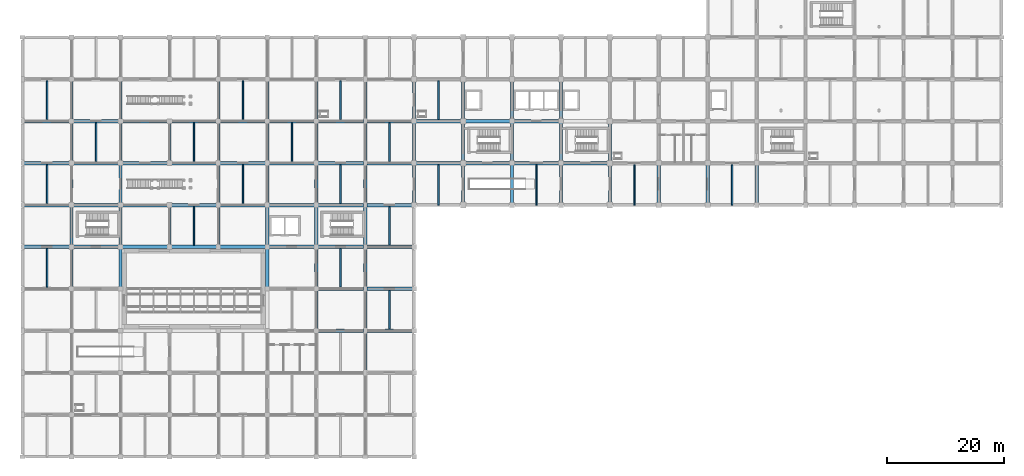
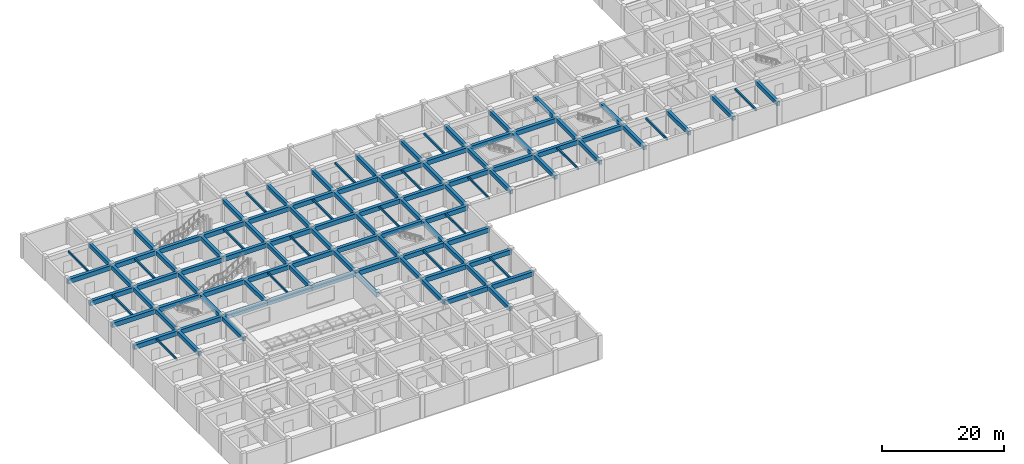
# One storey, part 11 of 32: 114 beams.
"""IFC4 building model written with IfcOpenShell, lengths in metres."""

from ifc_helpers import new_model, si_unit, derived_unit, direction, frame, origin, origin_2d, place, context, subcontext, project, spatial, rectangle, extrude, material, material_profile, profile_set, type_object, element, save


model = new_model("IFC4")

# Units and contexts
model_context = context("Model", 3, precision=1e-05, world=origin(), true_north=direction((0.0, 1.0)))
body_context = subcontext(model_context, "Body", "Model", "MODEL_VIEW")
ifc_project = project(units=[si_unit("LENGTHUNIT", "METRE"), si_unit("AREAUNIT", "SQUARE_METRE"), si_unit("VOLUMEUNIT", "CUBIC_METRE"), si_unit("PLANEANGLEUNIT", "RADIAN"), si_unit("MASSUNIT", "GRAM", prefix="KILO"), derived_unit("THERMALTRANSMITTANCEUNIT", [(si_unit("MASSUNIT", "GRAM", prefix="KILO"), 1), (si_unit("TIMEUNIT", "SECOND"), -3), (si_unit("THERMODYNAMICTEMPERATUREUNIT", "KELVIN"), -1)])], contexts=[model_context])

# Site, building, storey
site_placement = place(None, origin())
site = spatial("IfcSite", under=ifc_project, at=site_placement, CompositionType="ELEMENT")
building_placement = place(site_placement, origin())
building = spatial("IfcBuilding", under=site, at=building_placement, Name="Veldstrom Oceanarium and Marine Research Institute", CompositionType="ELEMENT")
storey_placement = place(building_placement, frame((0.0, 0.0, -4.800048828125)))
storey = spatial("IfcBuildingStorey", under=building, at=storey_placement, Name="B01", CompositionType="ELEMENT", Elevation=-4.800048828125)

# Beams
ifc_material_1 = material(Name="Concrete C40/50", Category="concrete")
ifc_material_profile_1 = material_profile(ifc_material_1, rectangle(XDim=0.60009765625, YDim=0.89990234375, at=origin_2d()), Name="RC-BM-600x900")
ifc_profile_set_1 = profile_set([ifc_material_profile_1], Name="Concrete C40/50")
beam_type_1 = type_object("IfcBeamType", Name="STR-BM-B01", PredefinedType="BEAM", material=ifc_profile_set_1)
for number, where, z_axis, x_axis, name in (
    (1, (0.0, 36.0, 3.9951171875), (1.0, 0.0, 0.0), (0.0, 1.0, 0.0), "Primary Beam B01 B01-0365"),
    (2, (0.0, 43.199951171875, 3.9951171875), (1.0, 0.0, 0.0), (0.0, 1.0, 0.0), "Primary Beam B01 B01-0366"),
    (3, (0.0, 50.39990234375, 3.9951171875), (1.0, 0.0, 0.0), (0.0, 1.0, 0.0), "Primary Beam B01 B01-0367"),
    (4, (0.0, 57.60009765625, 3.9951171875), (1.0, 0.0, 0.0), (0.0, 1.0, 0.0), "Primary Beam B01 B01-0368"),
):
    element("IfcBeam", number, at=place(storey_placement, frame(where, z_axis=z_axis, x_axis=x_axis)), inside=storey, type_object=beam_type_1, Name=name, PredefinedType="BEAM", context=body_context, shape_type="SweptSolid", body=[
        extrude(rectangle(XDim=0.60009765625, YDim=0.89990234375, at=origin_2d()), origin(), (0.0, 0.0, 1.0), 8.39990234375),
    ])
for number, where, z_axis, x_axis, name in (
    (5, (8.39990234375, 36.0, 3.9951171875), (1.0, 0.0, 0.0), (0.0, 1.0, 0.0), "Primary Beam B01 B01-0374"),
    (6, (8.39990234375, 43.199951171875, 3.9951171875), (1.0, 0.0, 0.0), (0.0, 1.0, 0.0), "Primary Beam B01 B01-0375"),
    (7, (8.39990234375, 50.39990234375, 3.9951171875), (1.0, 0.0, 0.0), (0.0, 1.0, 0.0), "Primary Beam B01 B01-0376"),
    (8, (8.39990234375, 57.60009765625, 3.9951171875), (1.0, 0.0, 0.0), (0.0, 1.0, 0.0), "Primary Beam B01 B01-0377"),
):
    element("IfcBeam", number, at=place(storey_placement, frame(where, z_axis=z_axis, x_axis=x_axis)), inside=storey, type_object=beam_type_1, Name=name, PredefinedType="BEAM", context=body_context, shape_type="SweptSolid", body=[
        extrude(rectangle(XDim=0.60009765625, YDim=0.89990234375, at=origin_2d()), origin(), (0.0, 0.0, 1.0), 8.400146484375),
    ])
for number, where, z_axis, x_axis, name in (
    (9, (16.800048828125, 36.0, 3.9951171875), (1.0, 0.0, 0.0), (0.0, 1.0, 0.0), "Primary Beam B01 B01-0382"),
    (10, (16.800048828125, 43.199951171875, 3.9951171875), (1.0, 0.0, 0.0), (0.0, 1.0, 0.0), "Primary Beam B01 B01-0383"),
    (11, (16.800048828125, 50.39990234375, 3.9951171875), (1.0, 0.0, 0.0), (0.0, 1.0, 0.0), "Primary Beam B01 B01-0384"),
    (12, (16.800048828125, 57.60009765625, 3.9951171875), (1.0, 0.0, 0.0), (0.0, 1.0, 0.0), "Primary Beam B01 B01-0385"),
):
    element("IfcBeam", number, at=place(storey_placement, frame(where, z_axis=z_axis, x_axis=x_axis)), inside=storey, type_object=beam_type_1, Name=name, PredefinedType="BEAM", context=body_context, shape_type="SweptSolid", body=[
        extrude(rectangle(XDim=0.60009765625, YDim=0.89990234375, at=origin_2d()), origin(), (0.0, 0.0, 1.0), 8.39990234375),
    ])
for number, where, z_axis, x_axis, name in (
    (13, (25.199951171875, 36.0, 3.9951171875), (1.0, 0.0, 0.0), (0.0, 1.0, 0.0), "Primary Beam B01 B01-0390"),
    (14, (25.199951171875, 43.199951171875, 3.9951171875), (1.0, 0.0, 0.0), (0.0, 1.0, 0.0), "Primary Beam B01 B01-0391"),
    (15, (25.199951171875, 50.39990234375, 3.9951171875), (1.0, 0.0, 0.0), (0.0, 1.0, 0.0), "Primary Beam B01 B01-0392"),
    (16, (25.199951171875, 57.60009765625, 3.9951171875), (1.0, 0.0, 0.0), (0.0, 1.0, 0.0), "Primary Beam B01 B01-0393"),
):
    element("IfcBeam", number, at=place(storey_placement, frame(where, z_axis=z_axis, x_axis=x_axis)), inside=storey, type_object=beam_type_1, Name=name, PredefinedType="BEAM", context=body_context, shape_type="SweptSolid", body=[
        extrude(rectangle(XDim=0.60009765625, YDim=0.89990234375, at=origin_2d()), origin(), (0.0, 0.0, 1.0), 8.400146484375),
    ])
for number, where, z_axis, x_axis, name in (
    (17, (33.60009765625, 36.0, 3.9951171875), (1.0, 0.0, 0.0), (0.0, 1.0, 0.0), "Primary Beam B01 B01-0398"),
    (18, (33.60009765625, 43.199951171875, 3.9951171875), (1.0, 0.0, 0.0), (0.0, 1.0, 0.0), "Primary Beam B01 B01-0399"),
    (19, (33.60009765625, 50.39990234375, 3.9951171875), (1.0, 0.0, 0.0), (0.0, 1.0, 0.0), "Primary Beam B01 B01-0400"),
    (20, (33.60009765625, 57.60009765625, 3.9951171875), (1.0, 0.0, 0.0), (0.0, 1.0, 0.0), "Primary Beam B01 B01-0401"),
    (21, (42.0, 36.0, 3.9951171875), (1.0, 0.0, 0.0), (0.0, 1.0, 0.0), "Primary Beam B01 B01-0407"),
    (22, (42.0, 43.199951171875, 3.9951171875), (1.0, 0.0, 0.0), (0.0, 1.0, 0.0), "Primary Beam B01 B01-0408"),
    (23, (42.0, 50.39990234375, 3.9951171875), (1.0, 0.0, 0.0), (0.0, 1.0, 0.0), "Primary Beam B01 B01-0409"),
    (24, (42.0, 57.60009765625, 3.9951171875), (1.0, 0.0, 0.0), (0.0, 1.0, 0.0), "Primary Beam B01 B01-0410"),
):
    element("IfcBeam", number, at=place(storey_placement, frame(where, z_axis=z_axis, x_axis=x_axis)), inside=storey, type_object=beam_type_1, Name=name, PredefinedType="BEAM", context=body_context, shape_type="SweptSolid", body=[
        extrude(rectangle(XDim=0.60009765625, YDim=0.89990234375, at=origin_2d()), origin(), (0.0, 0.0, 1.0), 8.39990234375),
    ])
for number, where, z_axis, x_axis, name in (
    (25, (50.39990234375, 21.60009765625, 3.9951171875), (1.0, 0.0, 0.0), (0.0, 1.0, 0.0), "Primary Beam B01 B01-0414"),
    (26, (50.39990234375, 28.800048828125, 3.9951171875), (1.0, 0.0, 0.0), (0.0, 1.0, 0.0), "Primary Beam B01 B01-0415"),
    (27, (50.39990234375, 36.0, 3.9951171875), (1.0, 0.0, 0.0), (0.0, 1.0, 0.0), "Primary Beam B01 B01-0416"),
    (28, (50.39990234375, 43.199951171875, 3.9951171875), (1.0, 0.0, 0.0), (0.0, 1.0, 0.0), "Primary Beam B01 B01-0417"),
    (29, (50.39990234375, 50.39990234375, 3.9951171875), (1.0, 0.0, 0.0), (0.0, 1.0, 0.0), "Primary Beam B01 B01-0418"),
    (30, (50.39990234375, 57.60009765625, 3.9951171875), (1.0, 0.0, 0.0), (0.0, 1.0, 0.0), "Primary Beam B01 B01-0419"),
):
    element("IfcBeam", number, at=place(storey_placement, frame(where, z_axis=z_axis, x_axis=x_axis)), inside=storey, type_object=beam_type_1, Name=name, PredefinedType="BEAM", context=body_context, shape_type="SweptSolid", body=[
        extrude(rectangle(XDim=0.60009765625, YDim=0.89990234375, at=origin_2d()), origin(), (0.0, 0.0, 1.0), 8.400146484375),
    ])
for number, where, z_axis, x_axis, name in (
    (31, (58.800048828125, 21.60009765625, 3.9951171875), (1.0, 0.0, 0.0), (0.0, 1.0, 0.0), "Primary Beam B01 B01-0423"),
    (32, (58.800048828125, 28.800048828125, 3.9951171875), (1.0, 0.0, 0.0), (0.0, 1.0, 0.0), "Primary Beam B01 B01-0424"),
    (33, (58.800048828125, 36.0, 3.9951171875), (1.0, 0.0, 0.0), (0.0, 1.0, 0.0), "Primary Beam B01 B01-0425"),
    (34, (58.800048828125, 43.199951171875, 3.9951171875), (1.0, 0.0, 0.0), (0.0, 1.0, 0.0), "Primary Beam B01 B01-0426"),
    (35, (58.800048828125, 50.39990234375, 3.9951171875), (1.0, 0.0, 0.0), (0.0, 1.0, 0.0), "Primary Beam B01 B01-0427"),
    (36, (58.800048828125, 57.60009765625, 3.9951171875), (1.0, 0.0, 0.0), (0.0, 1.0, 0.0), "Primary Beam B01 B01-0428"),
):
    element("IfcBeam", number, at=place(storey_placement, frame(where, z_axis=z_axis, x_axis=x_axis)), inside=storey, type_object=beam_type_1, Name=name, PredefinedType="BEAM", context=body_context, shape_type="SweptSolid", body=[
        extrude(rectangle(XDim=0.60009765625, YDim=0.89990234375, at=origin_2d()), origin(), (0.0, 0.0, 1.0), 8.39990234375),
    ])
for number, where, z_axis, x_axis, name in (
    (37, (67.199951171875, 50.39990234375, 3.9951171875), (1.0, 0.0, 0.0), (0.0, 1.0, 0.0), "Primary Beam B01 B01-0430"),
    (38, (67.199951171875, 57.60009765625, 3.9951171875), (1.0, 0.0, 0.0), (0.0, 1.0, 0.0), "Primary Beam B01 B01-0431"),
):
    element("IfcBeam", number, at=place(storey_placement, frame(where, z_axis=z_axis, x_axis=x_axis)), inside=storey, type_object=beam_type_1, Name=name, PredefinedType="BEAM", context=body_context, shape_type="SweptSolid", body=[
        extrude(rectangle(XDim=0.60009765625, YDim=0.89990234375, at=origin_2d()), origin(), (0.0, 0.0, 1.0), 8.400146484375),
    ])
for number, where, z_axis, x_axis, name in (
    (39, (75.60009765625, 50.39990234375, 3.9951171875), (1.0, 0.0, 0.0), (0.0, 1.0, 0.0), "Primary Beam B01 B01-0433"),
    (40, (75.60009765625, 57.60009765625, 3.9951171875), (1.0, 0.0, 0.0), (0.0, 1.0, 0.0), "Primary Beam B01 B01-0434"),
    (41, (84.0, 50.39990234375, 3.9951171875), (1.0, 0.0, 0.0), (0.0, 1.0, 0.0), "Primary Beam B01 B01-0436"),
    (42, (84.0, 57.60009765625, 3.9951171875), (1.0, 0.0, 0.0), (0.0, 1.0, 0.0), "Primary Beam B01 B01-0437"),
):
    element("IfcBeam", number, at=place(storey_placement, frame(where, z_axis=z_axis, x_axis=x_axis)), inside=storey, type_object=beam_type_1, Name=name, PredefinedType="BEAM", context=body_context, shape_type="SweptSolid", body=[
        extrude(rectangle(XDim=0.60009765625, YDim=0.89990234375, at=origin_2d()), origin(), (0.0, 0.0, 1.0), 8.39990234375),
    ])
beam_1_placement = place(storey_placement, frame((92.39990234375, 50.39990234375, 3.9951171875), z_axis=(1.0, 0.0, 0.0), x_axis=(0.0, 1.0, 0.0)))
element("IfcBeam", 43, at=beam_1_placement, inside=storey, type_object=beam_type_1, Name="Primary Beam B01 B01-0439", PredefinedType="BEAM", context=body_context, shape_type="SweptSolid", body=[
    extrude(rectangle(XDim=0.60009765625, YDim=0.89990234375, at=origin_2d()), origin(), (0.0, 0.0, 1.0), 8.400146484375),
])
ifc_material_2 = material(Name="Concrete C40/50", Category="concrete")
ifc_material_profile_2 = material_profile(ifc_material_2, rectangle(XDim=0.550048828125, YDim=0.800048828125, at=origin_2d()), Name="RC-BM-550x800")
ifc_profile_set_2 = profile_set([ifc_material_profile_2], Name="Concrete C40/50")
beam_type_2 = type_object("IfcBeamType", Name="STR-BM-B02", PredefinedType="BEAM", material=ifc_profile_set_2)
for number, where, z_axis, x_axis, name in (
    (44, (8.39990234375, 28.800048828125, 4.045166015625), (0.0, 1.0, 0.0), (-1.0, 0.0, 0.0), "Primary Beam B02 B01-0505"),
    (45, (8.39990234375, 36.0, 4.045166015625), (0.0, 1.0, 0.0), (-1.0, 0.0, 0.0), "Primary Beam B02 B01-0506"),
    (46, (8.39990234375, 43.199951171875, 4.045166015625), (0.0, 1.0, 0.0), (-1.0, 0.0, 0.0), "Primary Beam B02 B01-0507"),
):
    element("IfcBeam", number, at=place(storey_placement, frame(where, z_axis=z_axis, x_axis=x_axis)), inside=storey, type_object=beam_type_2, Name=name, PredefinedType="BEAM", context=body_context, shape_type="SweptSolid", body=[
        extrude(rectangle(XDim=0.550048828125, YDim=0.800048828125, at=origin_2d()), origin(), (0.0, 0.0, 1.0), 7.199951171875),
    ])
beam_2_placement = place(storey_placement, frame((8.39990234375, 50.39990234375, 4.045166015625), z_axis=(0.0, 1.0, 0.0), x_axis=(-1.0, 0.0, 0.0)))
element("IfcBeam", 47, at=beam_2_placement, inside=storey, type_object=beam_type_2, Name="Primary Beam B02 B01-0508", PredefinedType="BEAM", context=body_context, shape_type="SweptSolid", body=[
    extrude(rectangle(XDim=0.550048828125, YDim=0.800048828125, at=origin_2d()), origin(), (0.0, 0.0, 1.0), 7.2001953125),
])
for number, where, z_axis, x_axis, name in (
    (48, (8.39990234375, 57.60009765625, 4.045166015625), (0.0, 1.0, 0.0), (-1.0, 0.0, 0.0), "Primary Beam B02 B01-0509"),
    (49, (16.800048828125, 28.800048828125, 4.045166015625), (0.0, 1.0, 0.0), (-1.0, 0.0, 0.0), "Primary Beam B02 B01-0515"),
    (50, (16.800048828125, 36.0, 4.045166015625), (0.0, 1.0, 0.0), (-1.0, 0.0, 0.0), "Primary Beam B02 B01-0516"),
    (51, (16.800048828125, 43.199951171875, 4.045166015625), (0.0, 1.0, 0.0), (-1.0, 0.0, 0.0), "Primary Beam B02 B01-0517"),
):
    element("IfcBeam", number, at=place(storey_placement, frame(where, z_axis=z_axis, x_axis=x_axis)), inside=storey, type_object=beam_type_2, Name=name, PredefinedType="BEAM", context=body_context, shape_type="SweptSolid", body=[
        extrude(rectangle(XDim=0.550048828125, YDim=0.800048828125, at=origin_2d()), origin(), (0.0, 0.0, 1.0), 7.199951171875),
    ])
beam_3_placement = place(storey_placement, frame((16.800048828125, 50.39990234375, 4.045166015625), z_axis=(0.0, 1.0, 0.0), x_axis=(-1.0, 0.0, 0.0)))
element("IfcBeam", 52, at=beam_3_placement, inside=storey, type_object=beam_type_2, Name="Primary Beam B02 B01-0518", PredefinedType="BEAM", context=body_context, shape_type="SweptSolid", body=[
    extrude(rectangle(XDim=0.550048828125, YDim=0.800048828125, at=origin_2d()), origin(), (0.0, 0.0, 1.0), 7.2001953125),
])
for number, where, z_axis, x_axis, name in (
    (53, (16.800048828125, 57.60009765625, 4.045166015625), (0.0, 1.0, 0.0), (-1.0, 0.0, 0.0), "Primary Beam B02 B01-0519"),
    (54, (25.199951171875, 36.0, 4.045166015625), (0.0, 1.0, 0.0), (-1.0, 0.0, 0.0), "Primary Beam B02 B01-0524"),
):
    element("IfcBeam", number, at=place(storey_placement, frame(where, z_axis=z_axis, x_axis=x_axis)), inside=storey, type_object=beam_type_2, Name=name, PredefinedType="BEAM", context=body_context, shape_type="SweptSolid", body=[
        extrude(rectangle(XDim=0.550048828125, YDim=0.800048828125, at=origin_2d()), origin(), (0.0, 0.0, 1.0), 7.199951171875),
    ])
beam_4_placement = place(storey_placement, frame((25.199951171875, 50.39990234375, 4.045166015625), z_axis=(0.0, 1.0, 0.0), x_axis=(-1.0, 0.0, 0.0)))
element("IfcBeam", 55, at=beam_4_placement, inside=storey, type_object=beam_type_2, Name="Primary Beam B02 B01-0526", PredefinedType="BEAM", context=body_context, shape_type="SweptSolid", body=[
    extrude(rectangle(XDim=0.550048828125, YDim=0.800048828125, at=origin_2d()), origin(), (0.0, 0.0, 1.0), 7.2001953125),
])
for number, where, z_axis, x_axis, name in (
    (56, (33.60009765625, 36.0, 4.045166015625), (0.0, 1.0, 0.0), (-1.0, 0.0, 0.0), "Primary Beam B02 B01-0532"),
    (57, (33.60009765625, 43.199951171875, 4.045166015625), (0.0, 1.0, 0.0), (-1.0, 0.0, 0.0), "Primary Beam B02 B01-0533"),
):
    element("IfcBeam", number, at=place(storey_placement, frame(where, z_axis=z_axis, x_axis=x_axis)), inside=storey, type_object=beam_type_2, Name=name, PredefinedType="BEAM", context=body_context, shape_type="SweptSolid", body=[
        extrude(rectangle(XDim=0.550048828125, YDim=0.800048828125, at=origin_2d()), origin(), (0.0, 0.0, 1.0), 7.199951171875),
    ])
beam_5_placement = place(storey_placement, frame((33.60009765625, 50.39990234375, 4.045166015625), z_axis=(0.0, 1.0, 0.0), x_axis=(-1.0, 0.0, 0.0)))
element("IfcBeam", 58, at=beam_5_placement, inside=storey, type_object=beam_type_2, Name="Primary Beam B02 B01-0534", PredefinedType="BEAM", context=body_context, shape_type="SweptSolid", body=[
    extrude(rectangle(XDim=0.550048828125, YDim=0.800048828125, at=origin_2d()), origin(), (0.0, 0.0, 1.0), 7.2001953125),
])
for number, where, z_axis, x_axis, name in (
    (59, (33.60009765625, 57.60009765625, 4.045166015625), (0.0, 1.0, 0.0), (-1.0, 0.0, 0.0), "Primary Beam B02 B01-0535"),
    (60, (42.0, 28.800048828125, 4.045166015625), (0.0, 1.0, 0.0), (-1.0, 0.0, 0.0), "Primary Beam B02 B01-0541"),
    (61, (42.0, 36.0, 4.045166015625), (0.0, 1.0, 0.0), (-1.0, 0.0, 0.0), "Primary Beam B02 B01-0542"),
    (62, (42.0, 43.199951171875, 4.045166015625), (0.0, 1.0, 0.0), (-1.0, 0.0, 0.0), "Primary Beam B02 B01-0543"),
):
    element("IfcBeam", number, at=place(storey_placement, frame(where, z_axis=z_axis, x_axis=x_axis)), inside=storey, type_object=beam_type_2, Name=name, PredefinedType="BEAM", context=body_context, shape_type="SweptSolid", body=[
        extrude(rectangle(XDim=0.550048828125, YDim=0.800048828125, at=origin_2d()), origin(), (0.0, 0.0, 1.0), 7.199951171875),
    ])
beam_6_placement = place(storey_placement, frame((42.0, 50.39990234375, 4.045166015625), z_axis=(0.0, 1.0, 0.0), x_axis=(-1.0, 0.0, 0.0)))
element("IfcBeam", 63, at=beam_6_placement, inside=storey, type_object=beam_type_2, Name="Primary Beam B02 B01-0544", PredefinedType="BEAM", context=body_context, shape_type="SweptSolid", body=[
    extrude(rectangle(XDim=0.550048828125, YDim=0.800048828125, at=origin_2d()), origin(), (0.0, 0.0, 1.0), 7.2001953125),
])
for number, where, z_axis, x_axis, name in (
    (64, (42.0, 57.60009765625, 4.045166015625), (0.0, 1.0, 0.0), (-1.0, 0.0, 0.0), "Primary Beam B02 B01-0545"),
    (65, (50.39990234375, 21.60009765625, 4.045166015625), (0.0, 1.0, 0.0), (-1.0, 0.0, 0.0), "Primary Beam B02 B01-0550"),
    (66, (50.39990234375, 28.800048828125, 4.045166015625), (0.0, 1.0, 0.0), (-1.0, 0.0, 0.0), "Primary Beam B02 B01-0551"),
    (67, (50.39990234375, 36.0, 4.045166015625), (0.0, 1.0, 0.0), (-1.0, 0.0, 0.0), "Primary Beam B02 B01-0552"),
    (68, (50.39990234375, 43.199951171875, 4.045166015625), (0.0, 1.0, 0.0), (-1.0, 0.0, 0.0), "Primary Beam B02 B01-0553"),
):
    element("IfcBeam", number, at=place(storey_placement, frame(where, z_axis=z_axis, x_axis=x_axis)), inside=storey, type_object=beam_type_2, Name=name, PredefinedType="BEAM", context=body_context, shape_type="SweptSolid", body=[
        extrude(rectangle(XDim=0.550048828125, YDim=0.800048828125, at=origin_2d()), origin(), (0.0, 0.0, 1.0), 7.199951171875),
    ])
beam_7_placement = place(storey_placement, frame((50.39990234375, 50.39990234375, 4.045166015625), z_axis=(0.0, 1.0, 0.0), x_axis=(-1.0, 0.0, 0.0)))
element("IfcBeam", 69, at=beam_7_placement, inside=storey, type_object=beam_type_2, Name="Primary Beam B02 B01-0554", PredefinedType="BEAM", context=body_context, shape_type="SweptSolid", body=[
    extrude(rectangle(XDim=0.550048828125, YDim=0.800048828125, at=origin_2d()), origin(), (0.0, 0.0, 1.0), 7.2001953125),
])
beam_8_placement = place(storey_placement, frame((50.39990234375, 57.60009765625, 4.045166015625), z_axis=(0.0, 1.0, 0.0), x_axis=(-1.0, 0.0, 0.0)))
element("IfcBeam", 70, at=beam_8_placement, inside=storey, type_object=beam_type_2, Name="Primary Beam B02 B01-0555", PredefinedType="BEAM", context=body_context, shape_type="SweptSolid", body=[
    extrude(rectangle(XDim=0.550048828125, YDim=0.800048828125, at=origin_2d()), origin(), (0.0, 0.0, 1.0), 7.199951171875),
])
beam_9_placement = place(storey_placement, frame((58.800048828125, 14.39990234375, 4.045166015625), z_axis=(0.0, 1.0, 0.0), x_axis=(-1.0, 0.0, 0.0)))
element("IfcBeam", 71, at=beam_9_placement, inside=storey, type_object=beam_type_2, Name="Primary Beam B02 B01-0559", PredefinedType="BEAM", context=body_context, shape_type="SweptSolid", body=[
    extrude(rectangle(XDim=0.550048828125, YDim=0.800048828125, at=origin_2d()), origin(), (0.0, 0.0, 1.0), 7.2001953125),
])
for number, where, z_axis, x_axis, name in (
    (72, (58.800048828125, 21.60009765625, 4.045166015625), (0.0, 1.0, 0.0), (-1.0, 0.0, 0.0), "Primary Beam B02 B01-0560"),
    (73, (58.800048828125, 28.800048828125, 4.045166015625), (0.0, 1.0, 0.0), (-1.0, 0.0, 0.0), "Primary Beam B02 B01-0561"),
    (74, (58.800048828125, 36.0, 4.045166015625), (0.0, 1.0, 0.0), (-1.0, 0.0, 0.0), "Primary Beam B02 B01-0562"),
    (75, (58.800048828125, 43.199951171875, 4.045166015625), (0.0, 1.0, 0.0), (-1.0, 0.0, 0.0), "Primary Beam B02 B01-0563"),
):
    element("IfcBeam", number, at=place(storey_placement, frame(where, z_axis=z_axis, x_axis=x_axis)), inside=storey, type_object=beam_type_2, Name=name, PredefinedType="BEAM", context=body_context, shape_type="SweptSolid", body=[
        extrude(rectangle(XDim=0.550048828125, YDim=0.800048828125, at=origin_2d()), origin(), (0.0, 0.0, 1.0), 7.199951171875),
    ])
beam_10_placement = place(storey_placement, frame((58.800048828125, 50.39990234375, 4.045166015625), z_axis=(0.0, 1.0, 0.0), x_axis=(-1.0, 0.0, 0.0)))
element("IfcBeam", 76, at=beam_10_placement, inside=storey, type_object=beam_type_2, Name="Primary Beam B02 B01-0564", PredefinedType="BEAM", context=body_context, shape_type="SweptSolid", body=[
    extrude(rectangle(XDim=0.550048828125, YDim=0.800048828125, at=origin_2d()), origin(), (0.0, 0.0, 1.0), 7.2001953125),
])
for number, where, z_axis, x_axis, name in (
    (77, (58.800048828125, 57.60009765625, 4.045166015625), (0.0, 1.0, 0.0), (-1.0, 0.0, 0.0), "Primary Beam B02 B01-0565"),
    (78, (67.199951171875, 43.199951171875, 4.045166015625), (0.0, 1.0, 0.0), (-1.0, 0.0, 0.0), "Primary Beam B02 B01-0567"),
):
    element("IfcBeam", number, at=place(storey_placement, frame(where, z_axis=z_axis, x_axis=x_axis)), inside=storey, type_object=beam_type_2, Name=name, PredefinedType="BEAM", context=body_context, shape_type="SweptSolid", body=[
        extrude(rectangle(XDim=0.550048828125, YDim=0.800048828125, at=origin_2d()), origin(), (0.0, 0.0, 1.0), 7.199951171875),
    ])
beam_11_placement = place(storey_placement, frame((67.199951171875, 50.39990234375, 4.045166015625), z_axis=(0.0, 1.0, 0.0), x_axis=(-1.0, 0.0, 0.0)))
element("IfcBeam", 79, at=beam_11_placement, inside=storey, type_object=beam_type_2, Name="Primary Beam B02 B01-0568", PredefinedType="BEAM", context=body_context, shape_type="SweptSolid", body=[
    extrude(rectangle(XDim=0.550048828125, YDim=0.800048828125, at=origin_2d()), origin(), (0.0, 0.0, 1.0), 7.2001953125),
])
for number, where, z_axis, x_axis, name in (
    (80, (67.199951171875, 57.60009765625, 4.045166015625), (0.0, 1.0, 0.0), (-1.0, 0.0, 0.0), "Primary Beam B02 B01-0569"),
    (81, (75.60009765625, 43.199951171875, 4.045166015625), (0.0, 1.0, 0.0), (-1.0, 0.0, 0.0), "Primary Beam B02 B01-0571"),
):
    element("IfcBeam", number, at=place(storey_placement, frame(where, z_axis=z_axis, x_axis=x_axis)), inside=storey, type_object=beam_type_2, Name=name, PredefinedType="BEAM", context=body_context, shape_type="SweptSolid", body=[
        extrude(rectangle(XDim=0.550048828125, YDim=0.800048828125, at=origin_2d()), origin(), (0.0, 0.0, 1.0), 7.199951171875),
    ])
beam_12_placement = place(storey_placement, frame((75.60009765625, 50.39990234375, 4.045166015625), z_axis=(0.0, 1.0, 0.0), x_axis=(-1.0, 0.0, 0.0)))
element("IfcBeam", 82, at=beam_12_placement, inside=storey, type_object=beam_type_2, Name="Primary Beam B02 B01-0572", PredefinedType="BEAM", context=body_context, shape_type="SweptSolid", body=[
    extrude(rectangle(XDim=0.550048828125, YDim=0.800048828125, at=origin_2d()), origin(), (0.0, 0.0, 1.0), 7.2001953125),
])
for number, where, z_axis, x_axis, name in (
    (83, (75.60009765625, 57.60009765625, 4.045166015625), (0.0, 1.0, 0.0), (-1.0, 0.0, 0.0), "Primary Beam B02 B01-0573"),
    (84, (84.0, 43.199951171875, 4.045166015625), (0.0, 1.0, 0.0), (-1.0, 0.0, 0.0), "Primary Beam B02 B01-0575"),
):
    element("IfcBeam", number, at=place(storey_placement, frame(where, z_axis=z_axis, x_axis=x_axis)), inside=storey, type_object=beam_type_2, Name=name, PredefinedType="BEAM", context=body_context, shape_type="SweptSolid", body=[
        extrude(rectangle(XDim=0.550048828125, YDim=0.800048828125, at=origin_2d()), origin(), (0.0, 0.0, 1.0), 7.199951171875),
    ])
beam_13_placement = place(storey_placement, frame((84.0, 50.39990234375, 4.045166015625), z_axis=(0.0, 1.0, 0.0), x_axis=(-1.0, 0.0, 0.0)))
element("IfcBeam", 85, at=beam_13_placement, inside=storey, type_object=beam_type_2, Name="Primary Beam B02 B01-0576", PredefinedType="BEAM", context=body_context, shape_type="SweptSolid", body=[
    extrude(rectangle(XDim=0.550048828125, YDim=0.800048828125, at=origin_2d()), origin(), (0.0, 0.0, 1.0), 7.2001953125),
])
for number, where, z_axis, x_axis, name in (
    (86, (84.0, 57.60009765625, 4.045166015625), (0.0, 1.0, 0.0), (-1.0, 0.0, 0.0), "Primary Beam B02 B01-0577"),
    (87, (92.39990234375, 43.199951171875, 4.045166015625), (0.0, 1.0, 0.0), (-1.0, 0.0, 0.0), "Primary Beam B02 B01-0579"),
):
    element("IfcBeam", number, at=place(storey_placement, frame(where, z_axis=z_axis, x_axis=x_axis)), inside=storey, type_object=beam_type_2, Name=name, PredefinedType="BEAM", context=body_context, shape_type="SweptSolid", body=[
        extrude(rectangle(XDim=0.550048828125, YDim=0.800048828125, at=origin_2d()), origin(), (0.0, 0.0, 1.0), 7.199951171875),
    ])
beam_14_placement = place(storey_placement, frame((92.39990234375, 50.39990234375, 4.045166015625), z_axis=(0.0, 1.0, 0.0), x_axis=(-1.0, 0.0, 0.0)))
element("IfcBeam", 88, at=beam_14_placement, inside=storey, type_object=beam_type_2, Name="Primary Beam B02 B01-0580", PredefinedType="BEAM", context=body_context, shape_type="SweptSolid", body=[
    extrude(rectangle(XDim=0.550048828125, YDim=0.800048828125, at=origin_2d()), origin(), (0.0, 0.0, 1.0), 7.2001953125),
])
for number, where, z_axis, x_axis, name in (
    (89, (92.39990234375, 57.60009765625, 4.045166015625), (0.0, 1.0, 0.0), (-1.0, 0.0, 0.0), "Primary Beam B02 B01-0581"),
    (90, (100.800048828125, 43.199951171875, 4.045166015625), (0.0, 1.0, 0.0), (-1.0, 0.0, 0.0), "Primary Beam B02 B01-0583"),
):
    element("IfcBeam", number, at=place(storey_placement, frame(where, z_axis=z_axis, x_axis=x_axis)), inside=storey, type_object=beam_type_2, Name=name, PredefinedType="BEAM", context=body_context, shape_type="SweptSolid", body=[
        extrude(rectangle(XDim=0.550048828125, YDim=0.800048828125, at=origin_2d()), origin(), (0.0, 0.0, 1.0), 7.199951171875),
    ])
beam_15_placement = place(storey_placement, frame((100.800048828125, 50.39990234375, 4.045166015625), z_axis=(0.0, 1.0, 0.0), x_axis=(-1.0, 0.0, 0.0)))
element("IfcBeam", 91, at=beam_15_placement, inside=storey, type_object=beam_type_2, Name="Primary Beam B02 B01-0584", PredefinedType="BEAM", context=body_context, shape_type="SweptSolid", body=[
    extrude(rectangle(XDim=0.550048828125, YDim=0.800048828125, at=origin_2d()), origin(), (0.0, 0.0, 1.0), 7.2001953125),
])
for number, where, z_axis, x_axis, name in (
    (92, (109.199951171875, 43.199951171875, 4.045166015625), (0.0, 1.0, 0.0), (-1.0, 0.0, 0.0), "Primary Beam B02 B01-0587"),
    (93, (117.60009765625, 43.199951171875, 4.045166015625), (0.0, 1.0, 0.0), (-1.0, 0.0, 0.0), "Primary Beam B02 B01-0591"),
    (94, (126.0, 43.199951171875, 4.045166015625), (0.0, 1.0, 0.0), (-1.0, 0.0, 0.0), "Primary Beam B02 B01-0595"),
):
    element("IfcBeam", number, at=place(storey_placement, frame(where, z_axis=z_axis, x_axis=x_axis)), inside=storey, type_object=beam_type_2, Name=name, PredefinedType="BEAM", context=body_context, shape_type="SweptSolid", body=[
        extrude(rectangle(XDim=0.550048828125, YDim=0.800048828125, at=origin_2d()), origin(), (0.0, 0.0, 1.0), 7.199951171875),
    ])
ifc_material_3 = material(Name="Concrete C40/50", Category="concrete")
ifc_material_profile_3 = material_profile(ifc_material_3, rectangle(XDim=0.25, YDim=0.39990234375, at=origin_2d()), Name="RC-JST-250x400")
ifc_profile_set_3 = profile_set([ifc_material_profile_3], Name="Concrete C40/50")
beam_type_3 = type_object("IfcBeamType", Name="STR-JST-J02", PredefinedType="JOIST", material=ifc_profile_set_3)
beam_16_placement = place(storey_placement, frame((4.199951171875, 29.10009765625, 4.2451171875), z_axis=(0.0, 1.0, 0.0), x_axis=(-1.0, 0.0, 0.0)))
element("IfcBeam", 95, at=beam_16_placement, inside=storey, type_object=beam_type_3, Name="Secondary Joist J02 B01-0646", PredefinedType="JOIST", context=body_context, shape_type="SweptSolid", body=[
    extrude(rectangle(XDim=0.25, YDim=0.39990234375, at=origin_2d()), origin(), (0.0, 0.0, 1.0), 6.599853515625),
])
for number, where, z_axis, x_axis, name in (
    (96, (4.199951171875, 43.5, 4.2451171875), (0.0, 1.0, 0.0), (-1.0, 0.0, 0.0), "Secondary Joist J02 B01-0647"),
    (97, (4.199951171875, 57.89990234375, 4.2451171875), (0.0, 1.0, 0.0), (-1.0, 0.0, 0.0), "Secondary Joist J02 B01-0648"),
    (98, (12.60009765625, 50.699951171875, 4.2451171875), (0.0, 1.0, 0.0), (-1.0, 0.0, 0.0), "Secondary Joist J02 B01-0651"),
):
    element("IfcBeam", number, at=place(storey_placement, frame(where, z_axis=z_axis, x_axis=x_axis)), inside=storey, type_object=beam_type_3, Name=name, PredefinedType="JOIST", context=body_context, shape_type="SweptSolid", body=[
        extrude(rectangle(XDim=0.25, YDim=0.39990234375, at=origin_2d()), origin(), (0.0, 0.0, 1.0), 6.60009765625),
    ])
beam_17_placement = place(storey_placement, frame((29.39990234375, 36.300048828125, 4.2451171875), z_axis=(0.0, 1.0, 0.0), x_axis=(-1.0, 0.0, 0.0)))
element("IfcBeam", 99, at=beam_17_placement, inside=storey, type_object=beam_type_3, Name="Secondary Joist J02 B01-0658", PredefinedType="JOIST", context=body_context, shape_type="SweptSolid", body=[
    extrude(rectangle(XDim=0.25, YDim=0.39990234375, at=origin_2d()), origin(), (0.0, 0.0, 1.0), 6.599853515625),
])
for number, where, z_axis, x_axis, name in (
    (100, (29.39990234375, 50.699951171875, 4.2451171875), (0.0, 1.0, 0.0), (-1.0, 0.0, 0.0), "Secondary Joist J02 B01-0659"),
    (101, (37.800048828125, 43.5, 4.2451171875), (0.0, 1.0, 0.0), (-1.0, 0.0, 0.0), "Secondary Joist J02 B01-0663"),
    (102, (37.800048828125, 57.89990234375, 4.2451171875), (0.0, 1.0, 0.0), (-1.0, 0.0, 0.0), "Secondary Joist J02 B01-0664"),
    (103, (46.199951171875, 50.699951171875, 4.2451171875), (0.0, 1.0, 0.0), (-1.0, 0.0, 0.0), "Secondary Joist J02 B01-0667"),
):
    element("IfcBeam", number, at=place(storey_placement, frame(where, z_axis=z_axis, x_axis=x_axis)), inside=storey, type_object=beam_type_3, Name=name, PredefinedType="JOIST", context=body_context, shape_type="SweptSolid", body=[
        extrude(rectangle(XDim=0.25, YDim=0.39990234375, at=origin_2d()), origin(), (0.0, 0.0, 1.0), 6.60009765625),
    ])
beam_18_placement = place(storey_placement, frame((54.60009765625, 29.10009765625, 4.2451171875), z_axis=(0.0, 1.0, 0.0), x_axis=(-1.0, 0.0, 0.0)))
element("IfcBeam", 104, at=beam_18_placement, inside=storey, type_object=beam_type_3, Name="Secondary Joist J02 B01-0671", PredefinedType="JOIST", context=body_context, shape_type="SweptSolid", body=[
    extrude(rectangle(XDim=0.25, YDim=0.39990234375, at=origin_2d()), origin(), (0.0, 0.0, 1.0), 6.599853515625),
])
for number, where, z_axis, x_axis, name in (
    (105, (54.60009765625, 43.5, 4.2451171875), (0.0, 1.0, 0.0), (-1.0, 0.0, 0.0), "Secondary Joist J02 B01-0672"),
    (106, (54.60009765625, 57.89990234375, 4.2451171875), (0.0, 1.0, 0.0), (-1.0, 0.0, 0.0), "Secondary Joist J02 B01-0673"),
    (107, (63.0, 21.89990234375, 4.2451171875), (0.0, 1.0, 0.0), (-1.0, 0.0, 0.0), "Secondary Joist J02 B01-0675"),
):
    element("IfcBeam", number, at=place(storey_placement, frame(where, z_axis=z_axis, x_axis=x_axis)), inside=storey, type_object=beam_type_3, Name=name, PredefinedType="JOIST", context=body_context, shape_type="SweptSolid", body=[
        extrude(rectangle(XDim=0.25, YDim=0.39990234375, at=origin_2d()), origin(), (0.0, 0.0, 1.0), 6.60009765625),
    ])
beam_19_placement = place(storey_placement, frame((63.0, 36.300048828125, 4.2451171875), z_axis=(0.0, 1.0, 0.0), x_axis=(-1.0, 0.0, 0.0)))
element("IfcBeam", 108, at=beam_19_placement, inside=storey, type_object=beam_type_3, Name="Secondary Joist J02 B01-0676", PredefinedType="JOIST", context=body_context, shape_type="SweptSolid", body=[
    extrude(rectangle(XDim=0.25, YDim=0.39990234375, at=origin_2d()), origin(), (0.0, 0.0, 1.0), 6.599853515625),
])
beam_20_placement = place(storey_placement, frame((63.0, 50.699951171875, 4.2451171875), z_axis=(0.0, 1.0, 0.0), x_axis=(-1.0, 0.0, 0.0)))
element("IfcBeam", 109, at=beam_20_placement, inside=storey, type_object=beam_type_3, Name="Secondary Joist J02 B01-0677", PredefinedType="JOIST", context=body_context, shape_type="SweptSolid", body=[
    extrude(rectangle(XDim=0.25, YDim=0.39990234375, at=origin_2d()), origin(), (0.0, 0.0, 1.0), 6.60009765625),
])
beam_21_placement = place(storey_placement, frame((71.39990234375, 43.199951171875, 4.2451171875), z_axis=(0.0, 1.0, 0.0), x_axis=(-1.0, 0.0, 0.0)))
element("IfcBeam", 110, at=beam_21_placement, inside=storey, type_object=beam_type_3, Name="Secondary Joist J02 B01-0679", PredefinedType="JOIST", context=body_context, shape_type="SweptSolid", body=[
    extrude(rectangle(XDim=0.25, YDim=0.39990234375, at=origin_2d()), origin(), (0.0, 0.0, 1.0), 6.900146484375),
])
beam_22_placement = place(storey_placement, frame((71.39990234375, 57.89990234375, 4.2451171875), z_axis=(0.0, 1.0, 0.0), x_axis=(-1.0, 0.0, 0.0)))
element("IfcBeam", 111, at=beam_22_placement, inside=storey, type_object=beam_type_3, Name="Secondary Joist J02 B01-0680", PredefinedType="JOIST", context=body_context, shape_type="SweptSolid", body=[
    extrude(rectangle(XDim=0.25, YDim=0.39990234375, at=origin_2d()), origin(), (0.0, 0.0, 1.0), 6.60009765625),
])
for number, where, z_axis, x_axis, name in (
    (112, (88.199951171875, 43.199951171875, 4.2451171875), (0.0, 1.0, 0.0), (-1.0, 0.0, 0.0), "Secondary Joist J02 B01-0682"),
    (113, (105.0, 43.199951171875, 4.2451171875), (0.0, 1.0, 0.0), (-1.0, 0.0, 0.0), "Secondary Joist J02 B01-0684"),
    (114, (121.800048828125, 43.199951171875, 4.2451171875), (0.0, 1.0, 0.0), (-1.0, 0.0, 0.0), "Secondary Joist J02 B01-0688"),
):
    element("IfcBeam", number, at=place(storey_placement, frame(where, z_axis=z_axis, x_axis=x_axis)), inside=storey, type_object=beam_type_3, Name=name, PredefinedType="JOIST", context=body_context, shape_type="SweptSolid", body=[
        extrude(rectangle(XDim=0.25, YDim=0.39990234375, at=origin_2d()), origin(), (0.0, 0.0, 1.0), 6.900146484375),
    ])

save(model, "model.ifc")
